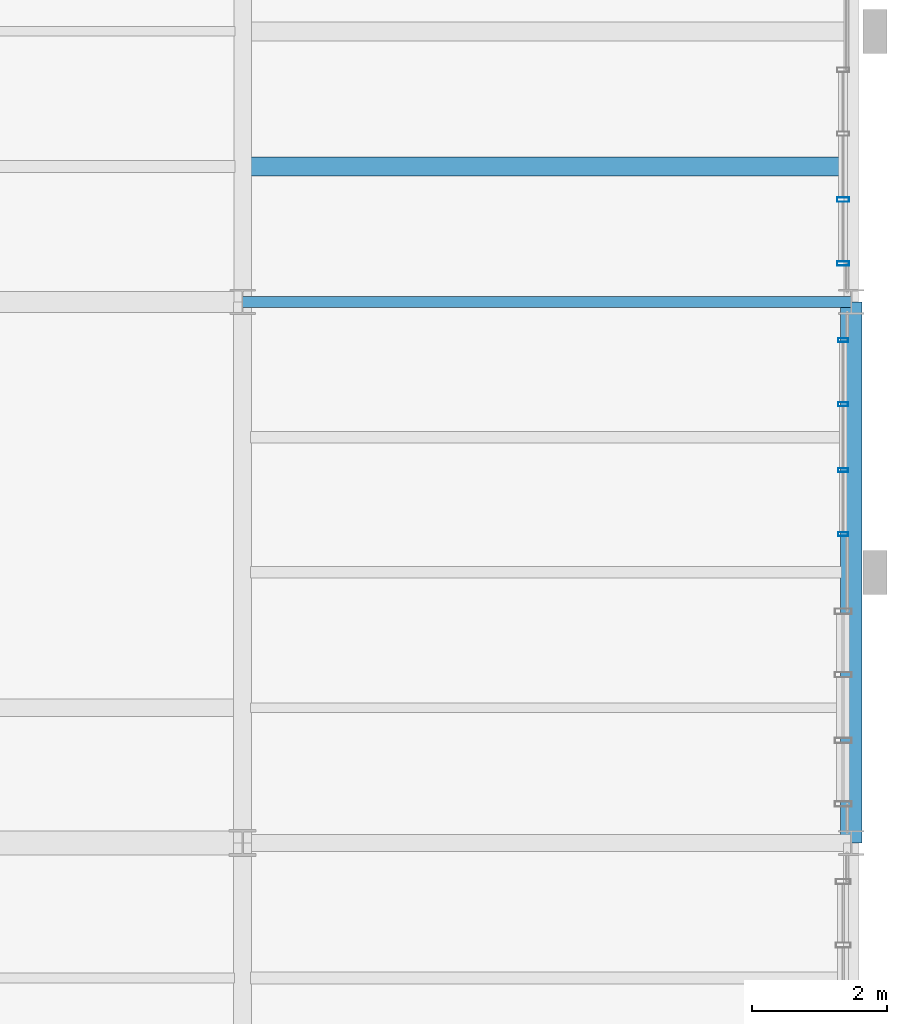
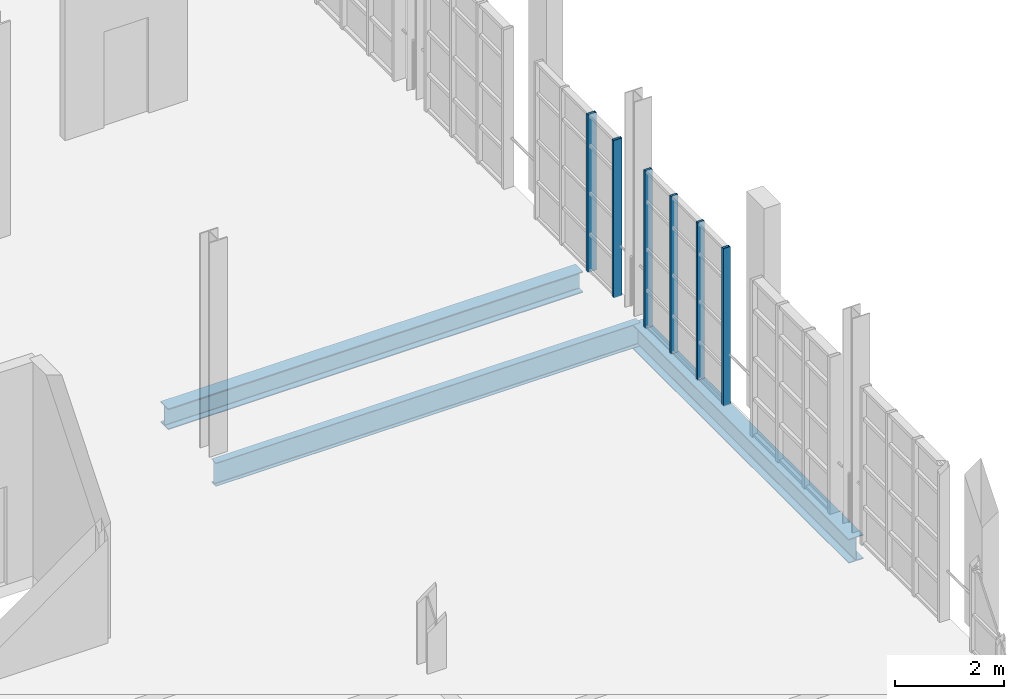
# One storey, part 56 of 122: 6 members, 3 beams, 2 elements without a shape of their own.
"""IFC4 building model written with IfcOpenShell, lengths in metres."""

from ifc_helpers import new_model, si_unit, direction, frame, origin, origin_2d, place, context, subcontext, project, spatial, hollow_rectangle, i_section, extrude, material, layer, layer_set, material_profile, profile_set, type_object, element, aggregate, save


model = new_model("IFC4")

# Units and contexts
model_context = context("Model", 3, precision=1e-05, world=origin(), true_north=direction((0.0, 1.0)))
body_context = subcontext(model_context, "Body", "Model", "MODEL_VIEW")
ifc_project = project(units=[si_unit("LENGTHUNIT", "METRE"), si_unit("AREAUNIT", "SQUARE_METRE"), si_unit("VOLUMEUNIT", "CUBIC_METRE"), si_unit("PLANEANGLEUNIT", "RADIAN"), si_unit("MASSUNIT", "GRAM", prefix="KILO"), si_unit("THERMODYNAMICTEMPERATUREUNIT", "KELVIN"), si_unit("POWERUNIT", "WATT")], contexts=[model_context])

# Site, building, storey
site_placement = place(None, origin())
site = spatial("IfcSite", under=ifc_project, at=site_placement, CompositionType="ELEMENT")
building_placement = place(site_placement, origin())
building = spatial("IfcBuilding", under=site, at=building_placement, Name="Zelmaris Science Centre", CompositionType="ELEMENT")
storey_placement = place(building_placement, frame((0.0, 0.0, 10.800048828125)))
storey = spatial("IfcBuildingStorey", under=building, at=storey_placement, Name="L02", CompositionType="ELEMENT", Elevation=10.800048828125)

# Curtain wall, members
ifc_material_1 = material(Name="Anodised architectural aluminium 6063-T6", Category="aluminium")
ifc_layer_1 = layer(ifc_material_1, 0.219970703125, Name="Anodised architectural aluminium 6063-T6")
ifc_layer_set_1 = layer_set([ifc_layer_1], Name="Anodised architectural aluminium 6063-T6")
curtain_wall_type_1 = type_object("IfcCurtainWallType", Name="Curtain Wall CW-04", PredefinedType="USERDEFINED", material=ifc_layer_set_1)
curtain_wall_1_placement = place(storey_placement, origin())
curtain_wall_1 = element("IfcCurtainWall", 1, at=curtain_wall_1_placement, inside=storey, type_object=curtain_wall_type_1, Name="L02 Unitised curtain wall 232", ObjectType="GLAZED CURTAIN WALL", PredefinedType="USERDEFINED")
ifc_material_profile_1 = material_profile(ifc_material_1, hollow_rectangle(XDim=0.06005859375, YDim=0.14990234375, WallThickness=0.00341796875, at=origin_2d()), Name="ALU-MUL-60X150")
ifc_profile_set_1 = profile_set([ifc_material_profile_1], Name="Anodised architectural aluminium 6063-T6")
member_type_1 = type_object("IfcMemberType", Name="ALU-MUL-60X150", PredefinedType="MULLION", material=ifc_profile_set_1)
member_1_placement = place(storey_placement, frame((143.8798828125, 23.43408203125, -0.01513671875), z_axis=(0.0, 0.0, 1.0), x_axis=(0.0, -1.0, 0.0)))
member_1 = element("IfcMember", 2, at=member_1_placement, type_object=member_type_1, Name="CW-04 mullion 1", PredefinedType="MULLION", context=body_context, shape_type="SweptSolid", body=[
    extrude(hollow_rectangle(XDim=0.06005859375, YDim=0.14990234375, WallThickness=0.00341796875, at=origin_2d()), origin(), (0.0, 0.0, 1.0), 3.529052734375),
])
member_2_placement = place(storey_placement, frame((143.8798828125, 22.486572265625, -0.01513671875), z_axis=(0.0, 0.0, 1.0), x_axis=(0.0, -1.0, 0.0)))
member_2 = element("IfcMember", 3, at=member_2_placement, type_object=member_type_1, Name="CW-04 mullion 2", PredefinedType="MULLION", context=body_context, shape_type="SweptSolid", body=[
    extrude(hollow_rectangle(XDim=0.06005859375, YDim=0.14990234375, WallThickness=0.00341796875, at=origin_2d()), origin(), (0.0, 0.0, 1.0), 3.529052734375),
])
member_3_placement = place(storey_placement, frame((143.8798828125, 21.513427734375, -0.01513671875), z_axis=(0.0, 0.0, 1.0), x_axis=(0.0, -1.0, 0.0)))
member_3 = element("IfcMember", 4, at=member_3_placement, type_object=member_type_1, Name="CW-04 mullion 3", PredefinedType="MULLION", context=body_context, shape_type="SweptSolid", body=[
    extrude(hollow_rectangle(XDim=0.06005859375, YDim=0.14990234375, WallThickness=0.00341796875, at=origin_2d()), origin(), (0.0, 0.0, 1.0), 3.529052734375),
])
member_4_placement = place(storey_placement, frame((143.8798828125, 20.56591796875, -0.01513671875), z_axis=(0.0, 0.0, 1.0), x_axis=(0.0, -1.0, 0.0)))
member_4 = element("IfcMember", 5, at=member_4_placement, type_object=member_type_1, Name="CW-04 mullion 4", PredefinedType="MULLION", context=body_context, shape_type="SweptSolid", body=[
    extrude(hollow_rectangle(XDim=0.06005859375, YDim=0.14990234375, WallThickness=0.00341796875, at=origin_2d()), origin(), (0.0, 0.0, 1.0), 3.529052734375),
])
aggregate(curtain_wall_1, [member_1, member_2, member_3, member_4])

ifc_layer_2 = layer(ifc_material_1, 0.2099609375, Name="Anodised architectural aluminium 6063-T6")
ifc_layer_set_2 = layer_set([ifc_layer_2], Name="Anodised architectural aluminium 6063-T6")
curtain_wall_type_2 = type_object("IfcCurtainWallType", Name="Curtain Wall CW-03", PredefinedType="USERDEFINED", material=ifc_layer_set_2)
curtain_wall_2_placement = place(storey_placement, origin())
curtain_wall_2 = element("IfcCurtainWall", 6, at=curtain_wall_2_placement, inside=storey, type_object=curtain_wall_type_2, Name="L02 Unitised curtain wall 231", ObjectType="GLAZED CURTAIN WALL", PredefinedType="USERDEFINED")
ifc_material_profile_2 = material_profile(ifc_material_1, hollow_rectangle(XDim=0.06494140625, YDim=0.179931640625, WallThickness=0.00390625, at=origin_2d()), Name="ALU-MUL-65X180")
ifc_profile_set_2 = profile_set([ifc_material_profile_2], Name="Anodised architectural aluminium 6063-T6")
member_type_2 = type_object("IfcMemberType", Name="ALU-MUL-65X180", PredefinedType="MULLION", material=ifc_profile_set_2)
member_5_placement = place(storey_placement, frame((143.8798828125, 25.513427734375, -0.01513671875), z_axis=(0.0, 0.0, 1.0), x_axis=(0.0, -1.0, 0.0)))
member_5 = element("IfcMember", 7, at=member_5_placement, type_object=member_type_2, Name="CW-03 mullion 3", PredefinedType="MULLION", context=body_context, shape_type="SweptSolid", body=[
    extrude(hollow_rectangle(XDim=0.06494140625, YDim=0.179931640625, WallThickness=0.00390625, at=origin_2d()), origin(), (0.0, 0.0, 1.0), 3.529052734375),
])
member_6_placement = place(storey_placement, frame((143.8798828125, 24.568603515625, -0.01513671875), z_axis=(0.0, 0.0, 1.0), x_axis=(0.0, -1.0, 0.0)))
member_6 = element("IfcMember", 8, at=member_6_placement, type_object=member_type_2, Name="CW-03 mullion 4", PredefinedType="MULLION", context=body_context, shape_type="SweptSolid", body=[
    extrude(hollow_rectangle(XDim=0.06494140625, YDim=0.179931640625, WallThickness=0.00390625, at=origin_2d()), origin(), (0.0, 0.0, 1.0), 3.529052734375),
])
aggregate(curtain_wall_2, [member_5, member_6])

# Beams
ifc_material_2 = material(Name="Steel ASTM A992 Grade 50", Category="steel")
ifc_material_profile_3 = material_profile(ifc_material_2, i_section(OverallWidth=0.31201171875, OverallDepth=0.5439453125, WebThickness=0.0126953125, FlangeThickness=0.020263671875, FilletRadius=0.013916015625, at=origin_2d()), Name="W21X101")
ifc_profile_set_3 = profile_set([ifc_material_profile_3], Name="Steel ASTM A992 Grade 50")
beam_type_1 = type_object("IfcBeamType", Name="Beam G-18 W21X101", PredefinedType="BEAM", material=ifc_profile_set_3)
beam_1_placement = place(storey_placement, frame((144.0, 16.0, -0.531982421875), z_axis=(0.0, 1.0, 0.0), x_axis=(-1.0, 0.0, 0.0)))
element("IfcBeam", 9, at=beam_1_placement, inside=storey, type_object=beam_type_1, Name="L02 North-south girder 538", PredefinedType="BEAM", context=body_context, shape_type="SweptSolid", body=[
    extrude(i_section(OverallWidth=0.31201171875, OverallDepth=0.5439453125, WebThickness=0.0126953125, FlangeThickness=0.020263671875, FilletRadius=0.013916015625, at=origin_2d()), origin(), (0.0, 0.0, 1.0), 8.0),
])
ifc_material_profile_4 = material_profile(ifc_material_2, i_section(OverallWidth=0.1650390625, OverallDepth=0.52587890625, WebThickness=0.0087890625, FlangeThickness=0.011474609375, FilletRadius=0.013916015625, at=origin_2d()), Name="W21X44")
ifc_profile_set_4 = profile_set([ifc_material_profile_4], Name="Steel ASTM A992 Grade 50")
beam_type_2 = type_object("IfcBeamType", Name="Beam G-40 W21X44", PredefinedType="BEAM", material=ifc_profile_set_4)
beam_2_placement = place(storey_placement, frame((135.0, 24.0, -0.52294921875), z_axis=(1.0, 0.0, 0.0), x_axis=(0.0, 1.0, 0.0)))
element("IfcBeam", 10, at=beam_2_placement, inside=storey, type_object=beam_type_2, Name="L02 East-west girder 556", PredefinedType="BEAM", context=body_context, shape_type="SweptSolid", body=[
    extrude(i_section(OverallWidth=0.1650390625, OverallDepth=0.52587890625, WebThickness=0.0087890625, FlangeThickness=0.011474609375, FilletRadius=0.013916015625, at=origin_2d()), origin(), (0.0, 0.0, 1.0), 9.0),
])
ifc_material_profile_5 = material_profile(ifc_material_2, i_section(OverallWidth=0.281982421875, OverallDepth=0.471923828125, WebThickness=0.013671875, FlangeThickness=0.022216796875, FilletRadius=0.012939453125, at=origin_2d()), Name="W18X97")
ifc_profile_set_5 = profile_set([ifc_material_profile_5], Name="Steel ASTM A992 Grade 50")
beam_type_3 = type_object("IfcBeamType", Name="Beam J-02 W18X97", PredefinedType="JOIST", material=ifc_profile_set_5)
beam_3_placement = place(storey_placement, frame((135.113525390625, 26.0, -0.49609375), z_axis=(1.0, 0.0, 0.0), x_axis=(0.0, 1.0, 0.0)))
element("IfcBeam", 11, at=beam_3_placement, inside=storey, type_object=beam_type_3, Name="L02 Composite floor joist 307", PredefinedType="JOIST", context=body_context, shape_type="SweptSolid", body=[
    extrude(i_section(OverallWidth=0.281982421875, OverallDepth=0.471923828125, WebThickness=0.013671875, FlangeThickness=0.022216796875, FilletRadius=0.012939453125, at=origin_2d()), origin(), (0.0, 0.0, 1.0), 8.7958984375),
])

save(model, "model.ifc")
